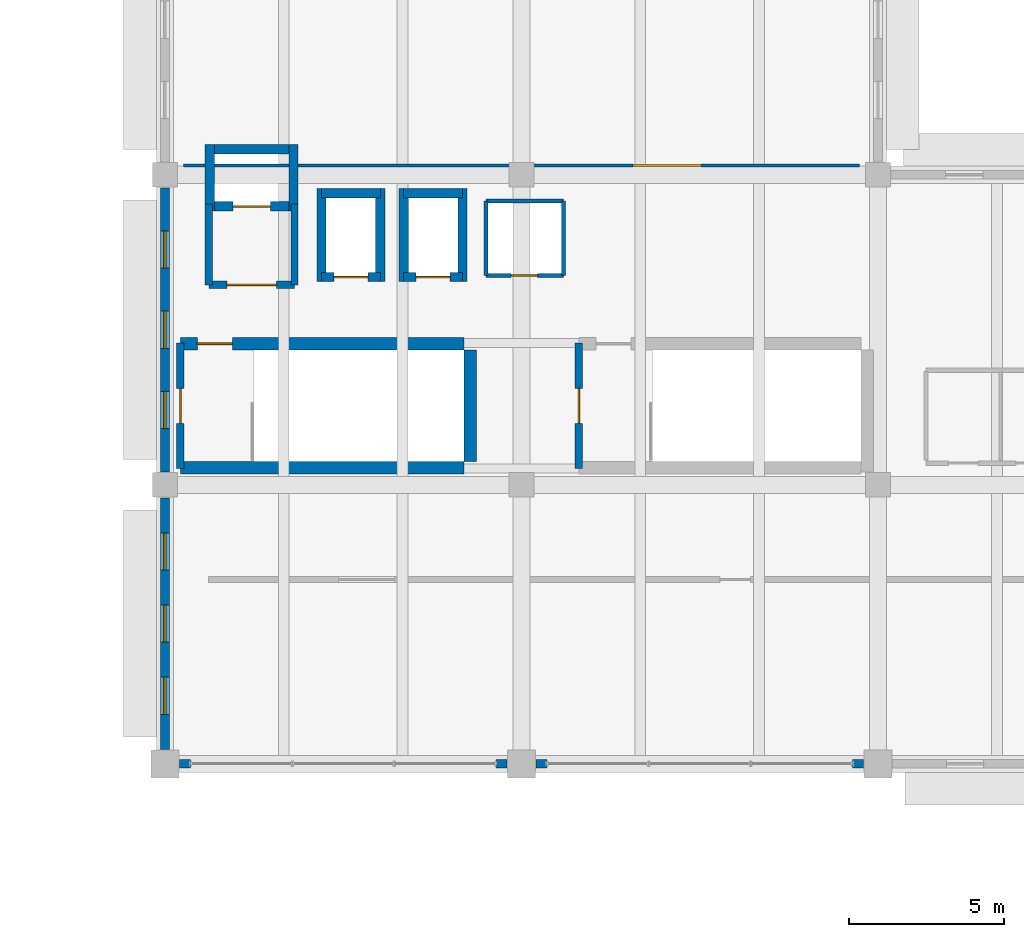
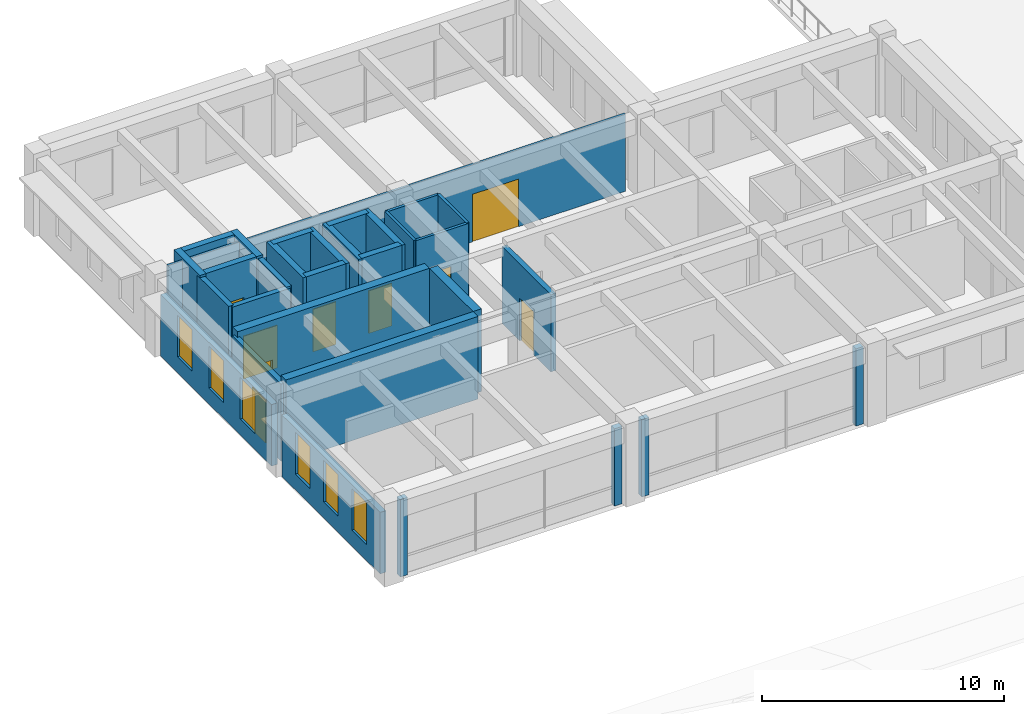
# One storey, part 25 of 33: 31 walls, 9 doors, 6 windows, 15 openings.
"""IFC4 building model written with IfcOpenShell, lengths in metres."""

from ifc_helpers import new_model, si_unit, direction, frame, frame_2d, origin, place, context, subcontext, project, spatial, rectangle, extrude, material, layer, layer_set, type_object, element, fill, save


model = new_model("IFC4")

# Units and contexts
model_context = context("Model", 3, precision=1e-05, world=origin(), true_north=direction((0.0, 1.0)))
body_context = subcontext(model_context, "Body", "Model", "MODEL_VIEW")
ifc_project = project(units=[si_unit("LENGTHUNIT", "METRE"), si_unit("AREAUNIT", "SQUARE_METRE"), si_unit("VOLUMEUNIT", "CUBIC_METRE"), si_unit("PLANEANGLEUNIT", "RADIAN"), si_unit("MASSUNIT", "GRAM", prefix="KILO")], contexts=[model_context])

# Site, building, storey
site_placement = place(None, origin())
site = spatial("IfcSite", under=ifc_project, at=site_placement, CompositionType="ELEMENT")
building_placement = place(site_placement, origin())
building = spatial("IfcBuilding", under=site, at=building_placement, Name="Ologun Quay Terminus", CompositionType="ELEMENT")
storey_placement = place(building_placement, frame((0.0, 0.0, 18.300048828125)))
storey = spatial("IfcBuildingStorey", under=building, at=storey_placement, Name="L04", CompositionType="ELEMENT", Elevation=18.300048828125)

# Wall
ifc_material_1 = material(Name="Concrete C40/50", Category="concrete")
ifc_layer_1 = layer(ifc_material_1, 0.39990234375)
ifc_layer_set_1 = layer_set([ifc_layer_1], Name="Concrete C40/50")
wall_type_1 = type_object("IfcWallType", Name="Coupled Wing Upper Core Shear Wall 400", PredefinedType="SHEAR", material=ifc_layer_set_1)
wall_1_placement = place(storey_placement, frame((23.5, 95.35009765625, 0.0), z_axis=(0.0, 0.0, 1.0), x_axis=(1.0, 0.0, 0.0)))
element("IfcWall", 1, at=wall_1_placement, inside=storey, type_object=wall_type_1, Name="WC1 Core South Shear Wall L04", PredefinedType="SHEAR", context=body_context, shape_type="SweptSolid", body=[
    extrude(rectangle(XDim=9.14990234375, YDim=0.39990234375, at=frame_2d((4.574951171875, 0.0))), origin(), (0.0, 0.0, 1.0), 4.159912109375),
])

# Wall, opening, door
wall_2_placement = place(storey_placement, frame((23.5, 99.35009765625, 0.0), z_axis=(0.0, 0.0, 1.0), x_axis=(1.0, 0.0, 0.0)))
wall_2 = element("IfcWall", 2, at=wall_2_placement, inside=storey, type_object=wall_type_1, Name="WC1 Core North Shear Wall L04", PredefinedType="SHEAR", context=body_context, shape_type="SweptSolid", body=[
    extrude(rectangle(XDim=9.14990234375, YDim=0.39990234375, at=frame_2d((4.574951171875, 0.0))), origin(), (0.0, 0.0, 1.0), 4.159912109375),
])
opening_1_placement = place(wall_2_placement, frame((0.550048828125, 0.0, 0.0)))
opening_1 = element("IfcOpeningElement", 3, at=opening_1_placement, cuts=wall_2, Name="Opening ID-133", PredefinedType="OPENING", context=body_context, shape_type="SweptSolid", body=[
    extrude(rectangle(XDim=1.1298828125, YDim=2.14990234375, at=frame_2d((0.56494140625, 1.074951171875))), frame((0.0, 0.2099609375, 0.0), z_axis=(0.0, -1.0, 0.0), x_axis=(1.0, 0.0, 0.0)), (0.0, 0.0, 1.0), 0.419921875),
])
ifc_material_2 = material(Name="Steel S355", Category="steel")
door_type_1 = type_object("IfcDoorType", Name="Stairwell Fire Escape Door 1130x2150", OperationType="SINGLE_SWING_LEFT", PredefinedType="DOOR", material=ifc_material_2)
door_1_placement = place(opening_1_placement, frame((0.56494140625, 0.0, 0.0), z_axis=(0.0, 0.0, 1.0), x_axis=(-1.0, 0.0, 0.0)))
door_1 = element("IfcDoor", 4, at=door_1_placement, inside=storey, type_object=door_type_1, Name="FD-01 Door ID-133", OperationType="SINGLE_SWING_LEFT", OverallHeight=2.14990234375, OverallWidth=1.1298828125, PredefinedType="DOOR", context=body_context, shape_type="SweptSolid", body=[
    extrude(rectangle(XDim=1.1298828125, YDim=2.14990234375, at=frame_2d((0.0, 1.074951171875))), frame((0.0, 0.02490234375, 0.0), z_axis=(0.0, -1.0, 0.0), x_axis=(1.0, 0.0, 0.0)), (0.0, 0.0, 1.0), 0.050048828125),
])
fill(opening_1, door_1)

# Walls
wall_3_placement = place(storey_placement, frame((32.85009765625, 95.550048828125, 0.0), z_axis=(0.0, 0.0, 1.0), x_axis=(0.0, 1.0, 0.0)))
element("IfcWall", 5, at=wall_3_placement, inside=storey, type_object=wall_type_1, Name="WC1 Core East Shear Wall L04", PredefinedType="SHEAR", context=body_context, shape_type="SweptSolid", body=[
    extrude(rectangle(XDim=3.599853515625, YDim=0.39990234375, at=frame_2d((1.7998046875, 0.0))), origin(), (0.0, 0.0, 1.0), 4.159912109375),
])
ifc_material_3 = material(Name="Concrete C40/50", Category="concrete")
ifc_layer_2 = layer(ifc_material_3, 0.280029296875)
ifc_layer_set_2 = layer_set([ifc_layer_2], Name="Concrete C40/50")
wall_type_2 = type_object("IfcWallType", Name="Courtyard Wing Spandrel Concrete Wall 280", PredefinedType="SOLIDWALL", material=ifc_layer_set_2)
for number, where, z_axis, x_axis, name in (
    (6, (23.469970703125, 85.800048828125, 0.0), (0.0, 0.0, 1.0), (1.0, 0.0, 0.0), "Curtain Wall Jamb Pier CW-L04-115-J1"),
    (7, (33.679931640625, 85.800048828125, 0.0), (0.0, 0.0, 1.0), (1.0, 0.0, 0.0), "Curtain Wall Jamb Pier CW-L04-115-J2"),
    (8, (34.969970703125, 85.800048828125, 0.0), (0.0, 0.0, 1.0), (1.0, 0.0, 0.0), "Curtain Wall Jamb Pier CW-L04-116-J1"),
    (9, (45.179931640625, 85.800048828125, 0.0), (0.0, 0.0, 1.0), (1.0, 0.0, 0.0), "Curtain Wall Jamb Pier CW-L04-116-J2"),
):
    element("IfcWall", number, at=place(storey_placement, frame(where, z_axis=z_axis, x_axis=x_axis)), inside=storey, type_object=wall_type_2, Name=name, PredefinedType="SOLIDWALL", context=body_context, shape_type="SweptSolid", body=[
        extrude(rectangle(XDim=0.35009765625, YDim=0.280029296875, at=frame_2d((0.175048828125, 0.0))), origin(), (0.0, 0.0, 1.0), 3.889892578125),
    ])

# Wall, openings, windows
wall_4_placement = place(storey_placement, frame((23.0, 86.27001953125, 0.0), z_axis=(0.0, 0.0, 1.0), x_axis=(0.0, 1.0, 0.0)))
wall_4 = element("IfcWall", 10, at=wall_4_placement, inside=storey, type_object=wall_type_2, Name="EW-02 Facade Wall WEW-WW-O-L04-10", PredefinedType="SOLIDWALL", context=body_context, shape_type="SweptSolid", body=[
    extrude(rectangle(XDim=8.10986328125, YDim=0.280029296875, at=frame_2d((4.054931640625, 0.0))), origin(), (0.0, 0.0, 1.0), 3.099853515625),
])
opening_2_placement = place(wall_4_placement, frame((1.12744140625, 0.0, 0.800048828125)))
opening_2 = element("IfcOpeningElement", 11, at=opening_2_placement, cuts=wall_4, Name="Opening WN-326", PredefinedType="OPENING", context=body_context, shape_type="SweptSolid", body=[
    extrude(rectangle(XDim=1.199951171875, YDim=2.10009765625, at=frame_2d((0.60009765625, 1.050048828125))), frame((0.0, 0.14990234375, 0.0), z_axis=(0.0, -1.0, 0.0), x_axis=(1.0, 0.0, 0.0)), (0.0, 0.0, 1.0), 0.300048828125),
])
opening_3_placement = place(wall_4_placement, frame((3.455078125, 0.0, 0.800048828125)))
opening_3 = element("IfcOpeningElement", 12, at=opening_3_placement, cuts=wall_4, Name="Opening WN-327", PredefinedType="OPENING", context=body_context, shape_type="SweptSolid", body=[
    extrude(rectangle(XDim=1.199951171875, YDim=2.10009765625, at=frame_2d((0.60009765625, 1.050048828125))), frame((0.0, 0.14990234375, 0.0), z_axis=(0.0, -1.0, 0.0), x_axis=(1.0, 0.0, 0.0)), (0.0, 0.0, 1.0), 0.300048828125),
])
opening_4_placement = place(wall_4_placement, frame((5.782470703125, 0.0, 0.800048828125)))
opening_4 = element("IfcOpeningElement", 13, at=opening_4_placement, cuts=wall_4, Name="Opening WN-328", PredefinedType="OPENING", context=body_context, shape_type="SweptSolid", body=[
    extrude(rectangle(XDim=1.199951171875, YDim=2.10009765625, at=frame_2d((0.60009765625, 1.050048828125))), frame((0.0, 0.14990234375, 0.0), z_axis=(0.0, -1.0, 0.0), x_axis=(1.0, 0.0, 0.0)), (0.0, 0.0, 1.0), 0.300048828125),
])
ifc_material_4 = material(Name="Glass", Category="glass")
window_type = type_object("IfcWindowType", Name="Archive Reading Slit Window 1200x2100", PartitioningType="SINGLE_PANEL", PredefinedType="WINDOW", material=ifc_material_4)
window_1_placement = place(opening_2_placement, origin())
window_1 = element("IfcWindow", 14, at=window_1_placement, inside=storey, type_object=window_type, Name="W-17 Window WN-326", OverallHeight=2.10009765625, OverallWidth=1.199951171875, PartitioningType="SINGLE_PANEL", PredefinedType="WINDOW", context=body_context, shape_type="SweptSolid", body=[
    extrude(rectangle(XDim=1.199951171875, YDim=2.10009765625, at=frame_2d((0.60009765625, 1.050048828125))), frame((0.0, 0.030029296875, 0.0), z_axis=(0.0, -1.0, 0.0), x_axis=(1.0, 0.0, 0.0)), (0.0, 0.0, 1.0), 0.06005859375),
])
fill(opening_2, window_1)
window_2_placement = place(opening_3_placement, origin())
window_2 = element("IfcWindow", 15, at=window_2_placement, inside=storey, type_object=window_type, Name="W-17 Window WN-327", OverallHeight=2.10009765625, OverallWidth=1.199951171875, PartitioningType="SINGLE_PANEL", PredefinedType="WINDOW", context=body_context, shape_type="SweptSolid", body=[
    extrude(rectangle(XDim=1.199951171875, YDim=2.10009765625, at=frame_2d((0.60009765625, 1.050048828125))), frame((0.0, 0.030029296875, 0.0), z_axis=(0.0, -1.0, 0.0), x_axis=(1.0, 0.0, 0.0)), (0.0, 0.0, 1.0), 0.06005859375),
])
fill(opening_3, window_2)
window_3_placement = place(opening_4_placement, origin())
window_3 = element("IfcWindow", 16, at=window_3_placement, inside=storey, type_object=window_type, Name="W-17 Window WN-328", OverallHeight=2.10009765625, OverallWidth=1.199951171875, PartitioningType="SINGLE_PANEL", PredefinedType="WINDOW", context=body_context, shape_type="SweptSolid", body=[
    extrude(rectangle(XDim=1.199951171875, YDim=2.10009765625, at=frame_2d((0.60009765625, 1.050048828125))), frame((0.0, 0.030029296875, 0.0), z_axis=(0.0, -1.0, 0.0), x_axis=(1.0, 0.0, 0.0)), (0.0, 0.0, 1.0), 0.06005859375),
])
fill(opening_4, window_3)

wall_5_placement = place(storey_placement, frame((23.0, 95.219970703125, 0.0), z_axis=(0.0, 0.0, 1.0), x_axis=(0.0, 1.0, 0.0)))
wall_5 = element("IfcWall", 17, at=wall_5_placement, inside=storey, type_object=wall_type_2, Name="EW-02 Facade Wall WEW-WW-O-L04-11", PredefinedType="SOLIDWALL", context=body_context, shape_type="SweptSolid", body=[
    extrude(rectangle(XDim=9.159912109375, YDim=0.280029296875, at=frame_2d((4.580078125, 0.0))), origin(), (0.0, 0.0, 1.0), 3.099853515625),
])
opening_5_placement = place(wall_5_placement, frame((1.389892578125, 0.0, 0.800048828125)))
opening_5 = element("IfcOpeningElement", 18, at=opening_5_placement, cuts=wall_5, Name="Opening WN-329", PredefinedType="OPENING", context=body_context, shape_type="SweptSolid", body=[
    extrude(rectangle(XDim=1.199951171875, YDim=2.10009765625, at=frame_2d((0.60009765625, 1.050048828125))), frame((0.0, 0.14990234375, 0.0), z_axis=(0.0, -1.0, 0.0), x_axis=(1.0, 0.0, 0.0)), (0.0, 0.0, 1.0), 0.300048828125),
])
opening_6_placement = place(wall_5_placement, frame((3.97998046875, 0.0, 0.800048828125)))
opening_6 = element("IfcOpeningElement", 19, at=opening_6_placement, cuts=wall_5, Name="Opening WN-330", PredefinedType="OPENING", context=body_context, shape_type="SweptSolid", body=[
    extrude(rectangle(XDim=1.199951171875, YDim=2.10009765625, at=frame_2d((0.60009765625, 1.050048828125))), frame((0.0, 0.14990234375, 0.0), z_axis=(0.0, -1.0, 0.0), x_axis=(1.0, 0.0, 0.0)), (0.0, 0.0, 1.0), 0.300048828125),
])
opening_7_placement = place(wall_5_placement, frame((6.570068359375, 0.0, 0.800048828125)))
opening_7 = element("IfcOpeningElement", 20, at=opening_7_placement, cuts=wall_5, Name="Opening WN-331", PredefinedType="OPENING", context=body_context, shape_type="SweptSolid", body=[
    extrude(rectangle(XDim=1.199951171875, YDim=2.10009765625, at=frame_2d((0.60009765625, 1.050048828125))), frame((0.0, 0.14990234375, 0.0), z_axis=(0.0, -1.0, 0.0), x_axis=(1.0, 0.0, 0.0)), (0.0, 0.0, 1.0), 0.300048828125),
])
window_4_placement = place(opening_5_placement, origin())
window_4 = element("IfcWindow", 21, at=window_4_placement, inside=storey, type_object=window_type, Name="W-17 Window WN-329", OverallHeight=2.10009765625, OverallWidth=1.199951171875, PartitioningType="SINGLE_PANEL", PredefinedType="WINDOW", context=body_context, shape_type="SweptSolid", body=[
    extrude(rectangle(XDim=1.199951171875, YDim=2.10009765625, at=frame_2d((0.60009765625, 1.050048828125))), frame((0.0, 0.030029296875, 0.0), z_axis=(0.0, -1.0, 0.0), x_axis=(1.0, 0.0, 0.0)), (0.0, 0.0, 1.0), 0.06005859375),
])
fill(opening_5, window_4)
window_5_placement = place(opening_6_placement, origin())
window_5 = element("IfcWindow", 22, at=window_5_placement, inside=storey, type_object=window_type, Name="W-17 Window WN-330", OverallHeight=2.10009765625, OverallWidth=1.199951171875, PartitioningType="SINGLE_PANEL", PredefinedType="WINDOW", context=body_context, shape_type="SweptSolid", body=[
    extrude(rectangle(XDim=1.199951171875, YDim=2.10009765625, at=frame_2d((0.60009765625, 1.050048828125))), frame((0.0, 0.030029296875, 0.0), z_axis=(0.0, -1.0, 0.0), x_axis=(1.0, 0.0, 0.0)), (0.0, 0.0, 1.0), 0.06005859375),
])
fill(opening_6, window_5)
window_6_placement = place(opening_7_placement, origin())
window_6 = element("IfcWindow", 23, at=window_6_placement, inside=storey, type_object=window_type, Name="W-17 Window WN-331", OverallHeight=2.10009765625, OverallWidth=1.199951171875, PartitioningType="SINGLE_PANEL", PredefinedType="WINDOW", context=body_context, shape_type="SweptSolid", body=[
    extrude(rectangle(XDim=1.199951171875, YDim=2.10009765625, at=frame_2d((0.60009765625, 1.050048828125))), frame((0.0, 0.030029296875, 0.0), z_axis=(0.0, -1.0, 0.0), x_axis=(1.0, 0.0, 0.0)), (0.0, 0.0, 1.0), 0.06005859375),
])
fill(opening_7, window_6)

# Wall, opening, door
ifc_material_5 = material(Name="Concrete C40/50", Category="concrete")
ifc_layer_3 = layer(ifc_material_5, 0.239990234375)
ifc_layer_set_3 = layer_set([ifc_layer_3], Name="Concrete C40/50")
wall_type_3 = type_object("IfcWallType", Name="Fire Compartment Blockwork Wall 240", PredefinedType="SOLIDWALL", material=ifc_layer_set_3)
wall_6_placement = place(storey_placement, frame((23.5, 95.330078125, 0.0), z_axis=(0.0, 0.0, 1.0), x_axis=(0.0, 1.0, 0.0)))
wall_6 = element("IfcWall", 24, at=wall_6_placement, inside=storey, type_object=wall_type_3, Name="PW-01 Partition WStair1-W", PredefinedType="SOLIDWALL", context=body_context, shape_type="SweptSolid", body=[
    extrude(rectangle(XDim=4.0400390625, YDim=0.239990234375, at=frame_2d((2.02001953125, 0.0))), origin(), (0.0, 0.0, 1.0), 3.8798828125),
])
opening_8_placement = place(wall_6_placement, frame((1.449951171875, 0.0, 0.0)))
opening_8 = element("IfcOpeningElement", 25, at=opening_8_placement, cuts=wall_6, Name="Opening ID-132", PredefinedType="OPENING", context=body_context, shape_type="SweptSolid", body=[
    extrude(rectangle(XDim=1.1298828125, YDim=2.14990234375, at=frame_2d((0.56494140625, 1.074951171875))), frame((0.0, 0.1298828125, 0.0), z_axis=(0.0, -1.0, 0.0), x_axis=(1.0, 0.0, 0.0)), (0.0, 0.0, 1.0), 0.260009765625),
])
door_2_placement = place(opening_8_placement, frame((0.56494140625, 0.0, 0.0), z_axis=(0.0, 0.0, 1.0), x_axis=(-1.0, 0.0, 0.0)))
door_2 = element("IfcDoor", 26, at=door_2_placement, inside=storey, type_object=door_type_1, Name="FD-01 Door ID-132", OperationType="SINGLE_SWING_LEFT", OverallHeight=2.14990234375, OverallWidth=1.1298828125, PredefinedType="DOOR", context=body_context, shape_type="SweptSolid", body=[
    extrude(rectangle(XDim=1.1298828125, YDim=2.14990234375, at=frame_2d((0.0, 1.074951171875))), frame((0.0, 0.02490234375, 0.0), z_axis=(0.0, -1.0, 0.0), x_axis=(1.0, 0.0, 0.0)), (0.0, 0.0, 1.0), 0.050048828125),
])
fill(opening_8, door_2)

wall_7_placement = place(storey_placement, frame((36.35009765625, 95.330078125, 0.0), z_axis=(0.0, 0.0, 1.0), x_axis=(0.0, 1.0, 0.0)))
wall_7 = element("IfcWall", 27, at=wall_7_placement, inside=storey, type_object=wall_type_3, Name="PW-01 Partition WStair2-W", PredefinedType="SOLIDWALL", context=body_context, shape_type="SweptSolid", body=[
    extrude(rectangle(XDim=4.0400390625, YDim=0.239990234375, at=frame_2d((2.02001953125, 0.0))), origin(), (0.0, 0.0, 1.0), 3.8798828125),
])
opening_9_placement = place(wall_7_placement, frame((1.449951171875, 0.0, 0.0)))
opening_9 = element("IfcOpeningElement", 28, at=opening_9_placement, cuts=wall_7, Name="Opening ID-134", PredefinedType="OPENING", context=body_context, shape_type="SweptSolid", body=[
    extrude(rectangle(XDim=1.1298828125, YDim=2.14990234375, at=frame_2d((0.56494140625, 1.074951171875))), frame((0.0, 0.1298828125, 0.0), z_axis=(0.0, -1.0, 0.0), x_axis=(1.0, 0.0, 0.0)), (0.0, 0.0, 1.0), 0.260009765625),
])
door_3_placement = place(opening_9_placement, frame((0.56494140625, 0.0, 0.0), z_axis=(0.0, 0.0, 1.0), x_axis=(-1.0, 0.0, 0.0)))
door_3 = element("IfcDoor", 29, at=door_3_placement, inside=storey, type_object=door_type_1, Name="FD-01 Door ID-134", OperationType="SINGLE_SWING_LEFT", OverallHeight=2.14990234375, OverallWidth=1.1298828125, PredefinedType="DOOR", context=body_context, shape_type="SweptSolid", body=[
    extrude(rectangle(XDim=1.1298828125, YDim=2.14990234375, at=frame_2d((0.0, 1.074951171875))), frame((0.0, 0.02490234375, 0.0), z_axis=(0.0, -1.0, 0.0), x_axis=(1.0, 0.0, 0.0)), (0.0, 0.0, 1.0), 0.050048828125),
])
fill(opening_9, door_3)

wall_8_placement = place(storey_placement, frame((24.419921875, 101.25, 0.0), z_axis=(0.0, 0.0, 1.0), x_axis=(1.0, 0.0, 0.0)))
wall_8 = element("IfcWall", 30, at=wall_8_placement, inside=storey, type_object=wall_type_3, Name="PW-01 Partition WFFL-S", PredefinedType="SOLIDWALL", context=body_context, shape_type="SweptSolid", body=[
    extrude(rectangle(XDim=2.760009765625, YDim=0.239990234375, at=frame_2d((1.3798828125, 0.0))), origin(), (0.0, 0.0, 1.0), 3.8798828125),
])
opening_10_placement = place(wall_8_placement, frame((0.580078125, 0.0, 0.0)))
opening_10 = element("IfcOpeningElement", 31, at=opening_10_placement, cuts=wall_8, Name="Opening ID-136", PredefinedType="OPENING", context=body_context, shape_type="SweptSolid", body=[
    extrude(rectangle(XDim=1.60009765625, YDim=2.14990234375, at=frame_2d((0.800048828125, 1.074951171875))), frame((0.0, 0.1298828125, 0.0), z_axis=(0.0, -1.0, 0.0), x_axis=(1.0, 0.0, 0.0)), (0.0, 0.0, 1.0), 0.260009765625),
])
ifc_material_6 = material(Name="Steel S355", Category="steel")
door_type_2 = type_object("IfcDoorType", Name="Firefighting Lobby Double Smoke Door 1600x2150", OperationType="DOUBLE_DOOR_SINGLE_SWING", PredefinedType="DOOR", material=ifc_material_6)
door_4_placement = place(opening_10_placement, origin())
door_4 = element("IfcDoor", 32, at=door_4_placement, inside=storey, type_object=door_type_2, Name="FD-02 Door ID-136", OperationType="DOUBLE_DOOR_SINGLE_SWING", OverallHeight=2.14990234375, OverallWidth=1.60009765625, PredefinedType="DOOR", context=body_context, shape_type="SweptSolid", body=[
    extrude(rectangle(XDim=1.60009765625, YDim=2.14990234375, at=frame_2d((0.800048828125, 1.074951171875))), frame((0.0, 0.02490234375, 0.0), z_axis=(0.0, -1.0, 0.0), x_axis=(1.0, 0.0, 0.0)), (0.0, 0.0, 1.0), 0.050048828125),
])
fill(opening_10, door_4)

# Walls
for number, where, z_axis, x_axis, name in (
    (33, (24.419921875, 101.25, 0.0), (0.0, 0.0, 1.0), (0.0, 1.0, 0.0), "PW-01 Partition WFFL-W"),
    (34, (27.179931640625, 101.25, 0.0), (0.0, 0.0, 1.0), (0.0, 1.0, 0.0), "PW-01 Partition WFFL-E"),
):
    element("IfcWall", number, at=place(storey_placement, frame(where, z_axis=z_axis, x_axis=x_axis)), inside=storey, type_object=wall_type_3, Name=name, PredefinedType="SOLIDWALL", context=body_context, shape_type="SweptSolid", body=[
        extrude(rectangle(XDim=2.60009765625, YDim=0.239990234375, at=frame_2d((1.300048828125, 0.0))), origin(), (0.0, 0.0, 1.0), 3.8798828125),
    ])

# Wall, opening, door
ifc_material_7 = material(Name="Concrete C40/50", Category="concrete")
ifc_layer_4 = layer(ifc_material_7, 0.300048828125)
ifc_layer_set_4 = layer_set([ifc_layer_4], Name="Concrete C40/50")
wall_type_4 = type_object("IfcWallType", Name="Lift Shaft Structural Shear Wall 300", PredefinedType="SHEAR", material=ifc_layer_set_4)
wall_9_placement = place(storey_placement, frame((24.449951171875, 103.780029296875, 0.0), z_axis=(0.0, 0.0, 1.0), x_axis=(1.0, 0.0, 0.0)))
wall_9 = element("IfcWall", 35, at=wall_9_placement, inside=storey, type_object=wall_type_4, Name="Lift FFL-01 Shaft Wall S L04", PredefinedType="SHEAR", context=body_context, shape_type="SweptSolid", body=[
    extrude(rectangle(XDim=2.699951171875, YDim=0.300048828125, at=frame_2d((1.35009765625, 0.0))), origin(), (0.0, 0.0, 1.0), 4.0),
])
opening_11_placement = place(wall_9_placement, frame((0.75, 0.0, 0.0)))
opening_11 = element("IfcOpeningElement", 36, at=opening_11_placement, cuts=wall_9, Name="Opening ID-007", PredefinedType="OPENING", context=body_context, shape_type="SweptSolid", body=[
    extrude(rectangle(XDim=1.199951171875, YDim=2.14990234375, at=frame_2d((0.60009765625, 1.074951171875))), frame((0.0, 0.16015625, 0.0), z_axis=(0.0, -1.0, 0.0), x_axis=(1.0, 0.0, 0.0)), (0.0, 0.0, 1.0), 0.320068359375),
])
ifc_material_8 = material(Name="Steel S355", Category="steel")
door_type_3 = type_object("IfcDoorType", Name="Firefighting Lift Landing Sliding Door 1200x2150", OperationType="SLIDING_TO_RIGHT", PredefinedType="DOOR", material=ifc_material_8)
door_5_placement = place(opening_11_placement, origin())
door_5 = element("IfcDoor", 37, at=door_5_placement, inside=storey, type_object=door_type_3, Name="LD-02 Door ID-007", OperationType="SLIDING_TO_RIGHT", OverallHeight=2.14990234375, OverallWidth=1.199951171875, PredefinedType="DOOR", context=body_context, shape_type="SweptSolid", body=[
    extrude(rectangle(XDim=1.199951171875, YDim=2.14990234375, at=frame_2d((0.60009765625, 1.074951171875))), frame((0.0, 0.02490234375, 0.0), z_axis=(0.0, -1.0, 0.0), x_axis=(1.0, 0.0, 0.0)), (0.0, 0.0, 1.0), 0.050048828125),
])
fill(opening_11, door_5)

# Walls
wall_10_placement = place(storey_placement, frame((24.449951171875, 105.6201171875, 0.0), z_axis=(0.0, 0.0, 1.0), x_axis=(1.0, 0.0, 0.0)))
element("IfcWall", 38, at=wall_10_placement, inside=storey, type_object=wall_type_4, Name="Lift FFL-01 Shaft Wall N L04", PredefinedType="SHEAR", context=body_context, shape_type="SweptSolid", body=[
    extrude(rectangle(XDim=2.699951171875, YDim=0.300048828125, at=frame_2d((1.35009765625, 0.0))), origin(), (0.0, 0.0, 1.0), 4.0),
])
for number, where, z_axis, x_axis, name in (
    (39, (24.449951171875, 103.6298828125, 0.0), (0.0, 0.0, 1.0), (0.0, 1.0, 0.0), "Lift FFL-01 Shaft Wall W L04"),
    (40, (27.14990234375, 103.6298828125, 0.0), (0.0, 0.0, 1.0), (0.0, 1.0, 0.0), "Lift FFL-01 Shaft Wall E L04"),
):
    element("IfcWall", number, at=place(storey_placement, frame(where, z_axis=z_axis, x_axis=x_axis)), inside=storey, type_object=wall_type_4, Name=name, PredefinedType="SHEAR", context=body_context, shape_type="SweptSolid", body=[
        extrude(rectangle(XDim=2.14013671875, YDim=0.300048828125, at=frame_2d((1.070068359375, 0.0))), origin(), (0.0, 0.0, 1.0), 4.0),
    ])

# Wall, opening, door
wall_11_placement = place(storey_placement, frame((28.050048828125, 101.5, 0.0), z_axis=(0.0, 0.0, 1.0), x_axis=(1.0, 0.0, 0.0)))
wall_11 = element("IfcWall", 41, at=wall_11_placement, inside=storey, type_object=wall_type_4, Name="Lift PL-W1 Shaft Wall S L04", PredefinedType="SHEAR", context=body_context, shape_type="SweptSolid", body=[
    extrude(rectangle(XDim=1.89990234375, YDim=0.300048828125, at=frame_2d((0.949951171875, 0.0))), origin(), (0.0, 0.0, 1.0), 4.0),
])
opening_12_placement = place(wall_11_placement, frame((0.39990234375, 0.0, 0.0)))
opening_12 = element("IfcOpeningElement", 42, at=opening_12_placement, cuts=wall_11, Name="Opening ID-022", PredefinedType="OPENING", context=body_context, shape_type="SweptSolid", body=[
    extrude(rectangle(XDim=1.10009765625, YDim=2.14990234375, at=frame_2d((0.550048828125, 1.074951171875))), frame((0.0, 0.16015625, 0.0), z_axis=(0.0, -1.0, 0.0), x_axis=(1.0, 0.0, 0.0)), (0.0, 0.0, 1.0), 0.320068359375),
])
ifc_material_9 = material(Name="Steel S355", Category="steel")
door_type_4 = type_object("IfcDoorType", Name="Lift Landing Sliding Door 1100x2150", OperationType="SLIDING_TO_LEFT", PredefinedType="DOOR", material=ifc_material_9)
door_6_placement = place(opening_12_placement, origin())
door_6 = element("IfcDoor", 43, at=door_6_placement, inside=storey, type_object=door_type_4, Name="LD-01 Door ID-022", OperationType="SLIDING_TO_LEFT", OverallHeight=2.14990234375, OverallWidth=1.10009765625, PredefinedType="DOOR", context=body_context, shape_type="SweptSolid", body=[
    extrude(rectangle(XDim=1.10009765625, YDim=2.14990234375, at=frame_2d((0.550048828125, 1.074951171875))), frame((0.0, 0.02490234375, 0.0), z_axis=(0.0, -1.0, 0.0), x_axis=(1.0, 0.0, 0.0)), (0.0, 0.0, 1.0), 0.050048828125),
])
fill(opening_12, door_6)

# Walls
wall_12_placement = place(storey_placement, frame((28.050048828125, 104.199951171875, 0.0), z_axis=(0.0, 0.0, 1.0), x_axis=(1.0, 0.0, 0.0)))
element("IfcWall", 44, at=wall_12_placement, inside=storey, type_object=wall_type_4, Name="Lift PL-W1 Shaft Wall N L04", PredefinedType="SHEAR", context=body_context, shape_type="SweptSolid", body=[
    extrude(rectangle(XDim=1.89990234375, YDim=0.300048828125, at=frame_2d((0.949951171875, 0.0))), origin(), (0.0, 0.0, 1.0), 4.0),
])
for number, where, z_axis, x_axis, name in (
    (45, (28.050048828125, 101.35009765625, 0.0), (0.0, 0.0, 1.0), (0.0, 1.0, 0.0), "Lift PL-W1 Shaft Wall W L04"),
    (46, (29.949951171875, 101.35009765625, 0.0), (0.0, 0.0, 1.0), (0.0, 1.0, 0.0), "Lift PL-W1 Shaft Wall E L04"),
):
    element("IfcWall", number, at=place(storey_placement, frame(where, z_axis=z_axis, x_axis=x_axis)), inside=storey, type_object=wall_type_4, Name=name, PredefinedType="SHEAR", context=body_context, shape_type="SweptSolid", body=[
        extrude(rectangle(XDim=3.0, YDim=0.300048828125, at=frame_2d((1.5, 0.0))), origin(), (0.0, 0.0, 1.0), 4.0),
    ])

# Wall, opening, door
wall_13_placement = place(storey_placement, frame((30.699951171875, 101.5, 0.0), z_axis=(0.0, 0.0, 1.0), x_axis=(1.0, 0.0, 0.0)))
wall_13 = element("IfcWall", 47, at=wall_13_placement, inside=storey, type_object=wall_type_4, Name="Lift PL-W2 Shaft Wall S L04", PredefinedType="SHEAR", context=body_context, shape_type="SweptSolid", body=[
    extrude(rectangle(XDim=1.900146484375, YDim=0.300048828125, at=frame_2d((0.9501953125, 0.0))), origin(), (0.0, 0.0, 1.0), 4.0),
])
opening_13_placement = place(wall_13_placement, frame((0.39990234375, 0.0, 0.0)))
opening_13 = element("IfcOpeningElement", 48, at=opening_13_placement, cuts=wall_13, Name="Opening ID-029", PredefinedType="OPENING", context=body_context, shape_type="SweptSolid", body=[
    extrude(rectangle(XDim=1.10009765625, YDim=2.14990234375, at=frame_2d((0.550048828125, 1.074951171875))), frame((0.0, 0.16015625, 0.0), z_axis=(0.0, -1.0, 0.0), x_axis=(1.0, 0.0, 0.0)), (0.0, 0.0, 1.0), 0.320068359375),
])
door_7_placement = place(opening_13_placement, origin())
door_7 = element("IfcDoor", 49, at=door_7_placement, inside=storey, type_object=door_type_4, Name="LD-01 Door ID-029", OperationType="SLIDING_TO_LEFT", OverallHeight=2.14990234375, OverallWidth=1.10009765625, PredefinedType="DOOR", context=body_context, shape_type="SweptSolid", body=[
    extrude(rectangle(XDim=1.10009765625, YDim=2.14990234375, at=frame_2d((0.550048828125, 1.074951171875))), frame((0.0, 0.02490234375, 0.0), z_axis=(0.0, -1.0, 0.0), x_axis=(1.0, 0.0, 0.0)), (0.0, 0.0, 1.0), 0.050048828125),
])
fill(opening_13, door_7)

# Walls
wall_14_placement = place(storey_placement, frame((30.699951171875, 104.199951171875, 0.0), z_axis=(0.0, 0.0, 1.0), x_axis=(1.0, 0.0, 0.0)))
element("IfcWall", 50, at=wall_14_placement, inside=storey, type_object=wall_type_4, Name="Lift PL-W2 Shaft Wall N L04", PredefinedType="SHEAR", context=body_context, shape_type="SweptSolid", body=[
    extrude(rectangle(XDim=1.900146484375, YDim=0.300048828125, at=frame_2d((0.9501953125, 0.0))), origin(), (0.0, 0.0, 1.0), 4.0),
])
for number, where, z_axis, x_axis, name in (
    (51, (30.699951171875, 101.35009765625, 0.0), (0.0, 0.0, 1.0), (0.0, 1.0, 0.0), "Lift PL-W2 Shaft Wall W L04"),
    (52, (32.60009765625, 101.35009765625, 0.0), (0.0, 0.0, 1.0), (0.0, 1.0, 0.0), "Lift PL-W2 Shaft Wall E L04"),
):
    element("IfcWall", number, at=place(storey_placement, frame(where, z_axis=z_axis, x_axis=x_axis)), inside=storey, type_object=wall_type_4, Name=name, PredefinedType="SHEAR", context=body_context, shape_type="SweptSolid", body=[
        extrude(rectangle(XDim=3.0, YDim=0.300048828125, at=frame_2d((1.5, 0.0))), origin(), (0.0, 0.0, 1.0), 4.0),
    ])

# Wall, opening, door
ifc_material_10 = material(Name="Concrete C40/50", Category="concrete")
ifc_layer_5 = layer(ifc_material_10, 0.1298828125)
ifc_layer_set_5 = layer_set([ifc_layer_5], Name="Concrete C40/50")
wall_type_5 = type_object("IfcWallType", Name="Riser & Service Duct Wall 130", PredefinedType="PLUMBINGWALL", material=ifc_layer_set_5)
wall_15_placement = place(storey_placement, frame((33.35009765625, 101.550048828125, 0.0), z_axis=(0.0, 0.0, 1.0), x_axis=(1.0, 0.0, 0.0)))
wall_15 = element("IfcWall", 53, at=wall_15_placement, inside=storey, type_object=wall_type_5, Name="PW-07 Partition WRiser-S", PredefinedType="PLUMBINGWALL", context=body_context, shape_type="SweptSolid", body=[
    extrude(rectangle(XDim=2.5, YDim=0.1298828125, at=frame_2d((1.25, 0.0))), origin(), (0.0, 0.0, 1.0), 3.8798828125),
])
opening_14_placement = place(wall_15_placement, frame((0.820068359375, 0.0, 0.0)))
opening_14 = element("IfcOpeningElement", 54, at=opening_14_placement, cuts=wall_15, Name="Opening ID-137", PredefinedType="OPENING", context=body_context, shape_type="SweptSolid", body=[
    extrude(rectangle(XDim=0.85009765625, YDim=2.0, at=frame_2d((0.425048828125, 1.0))), frame((0.0, 0.074951171875, 0.0), z_axis=(0.0, -1.0, 0.0), x_axis=(1.0, 0.0, 0.0)), (0.0, 0.0, 1.0), 0.14990234375),
])
ifc_material_11 = material(Name="Steel S355", Category="steel")
door_type_5 = type_object("IfcDoorType", Name="MEP Riser Access Trapdoor 850x2000", OperationType="SINGLE_SWING_LEFT", PredefinedType="TRAPDOOR", material=ifc_material_11)
door_8_placement = place(opening_14_placement, origin())
door_8 = element("IfcDoor", 55, at=door_8_placement, inside=storey, type_object=door_type_5, Name="RD-01 Door ID-137", OperationType="SINGLE_SWING_LEFT", OverallHeight=2.0, OverallWidth=0.85009765625, PredefinedType="TRAPDOOR", context=body_context, shape_type="SweptSolid", body=[
    extrude(rectangle(XDim=0.85009765625, YDim=2.0, at=frame_2d((0.425048828125, 1.0))), frame((0.0, 0.02490234375, 0.0), z_axis=(0.0, -1.0, 0.0), x_axis=(1.0, 0.0, 0.0)), (0.0, 0.0, 1.0), 0.050048828125),
])
fill(opening_14, door_8)

# Walls
for number, where, z_axis, x_axis, name in (
    (56, (33.35009765625, 101.550048828125, 0.0), (0.0, 0.0, 1.0), (0.0, 1.0, 0.0), "PW-07 Partition WRiser-W"),
    (57, (35.85009765625, 101.550048828125, 0.0), (0.0, 0.0, 1.0), (0.0, 1.0, 0.0), "PW-07 Partition WRiser-E"),
):
    element("IfcWall", number, at=place(storey_placement, frame(where, z_axis=z_axis, x_axis=x_axis)), inside=storey, type_object=wall_type_5, Name=name, PredefinedType="PLUMBINGWALL", context=body_context, shape_type="SweptSolid", body=[
        extrude(rectangle(XDim=2.39990234375, YDim=0.1298828125, at=frame_2d((1.199951171875, 0.0))), origin(), (0.0, 0.0, 1.0), 3.8798828125),
    ])
wall_16_placement = place(storey_placement, frame((33.35009765625, 103.949951171875, 0.0), z_axis=(0.0, 0.0, 1.0), x_axis=(1.0, 0.0, 0.0)))
element("IfcWall", 58, at=wall_16_placement, inside=storey, type_object=wall_type_5, Name="PW-07 Partition WRiser-N", PredefinedType="PLUMBINGWALL", context=body_context, shape_type="SweptSolid", body=[
    extrude(rectangle(XDim=2.5, YDim=0.1298828125, at=frame_2d((1.25, 0.0))), origin(), (0.0, 0.0, 1.0), 3.8798828125),
])

# Wall, opening, door
ifc_material_12 = material(Name="Glass", Category="glass")
ifc_layer_6 = layer(ifc_material_12, 0.110107421875)
ifc_layer_set_6 = layer_set([ifc_layer_6], Name="Glass")
wall_type_6 = type_object("IfcWallType", Name="VIP & Tea Salon Glazed Screen Wall 110", PredefinedType="MOVABLE", material=ifc_layer_set_6)
wall_17_placement = place(storey_placement, frame((23.60009765625, 105.10009765625, 0.0), z_axis=(0.0, 0.0, 1.0), x_axis=(1.0, 0.0, 0.0)))
wall_17 = element("IfcWall", 59, at=wall_17_placement, inside=storey, type_object=wall_type_6, Name="PW-11 Partition L04-TeaPav-S", PredefinedType="MOVABLE", context=body_context, shape_type="SweptSolid", body=[
    extrude(rectangle(XDim=21.7998046875, YDim=0.110107421875, at=frame_2d((10.89990234375, 0.0))), origin(), (0.0, 0.0, 1.0), 3.8798828125),
])
opening_15_placement = place(wall_17_placement, frame((14.5, 0.0, 0.0)))
opening_15 = element("IfcOpeningElement", 60, at=opening_15_placement, cuts=wall_17, Name="Opening ID-332", PredefinedType="OPENING", context=body_context, shape_type="SweptSolid", body=[
    extrude(rectangle(XDim=2.199951171875, YDim=2.39990234375, at=frame_2d((1.10009765625, 1.199951171875))), frame((0.0, 0.06494140625, 0.0), z_axis=(0.0, -1.0, 0.0), x_axis=(1.0, 0.0, 0.0)), (0.0, 0.0, 1.0), 0.130126953125),
])
ifc_material_13 = material(Name="Glass", Category="glass")
door_type_6 = type_object("IfcDoorType", Name="Harbour Dining Hall Pair 2200x2400", OperationType="DOUBLE_DOOR_SINGLE_SWING", PredefinedType="DOOR", material=ifc_material_13)
door_9_placement = place(opening_15_placement, origin())
door_9 = element("IfcDoor", 61, at=door_9_placement, inside=storey, type_object=door_type_6, Name="ID-10 Door ID-332", OperationType="DOUBLE_DOOR_SINGLE_SWING", OverallHeight=2.39990234375, OverallWidth=2.199951171875, PredefinedType="DOOR", context=body_context, shape_type="SweptSolid", body=[
    extrude(rectangle(XDim=2.199951171875, YDim=2.39990234375, at=frame_2d((1.10009765625, 1.199951171875))), frame((0.0, 0.02490234375, 0.0), z_axis=(0.0, -1.0, 0.0), x_axis=(1.0, 0.0, 0.0)), (0.0, 0.0, 1.0), 0.050048828125),
])
fill(opening_15, door_9)

save(model, "model.ifc")
